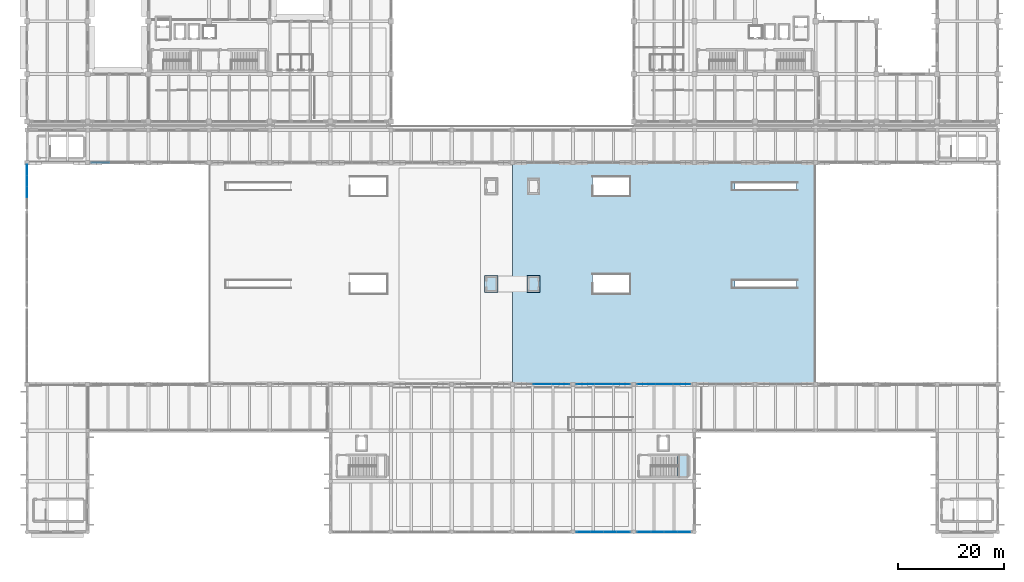
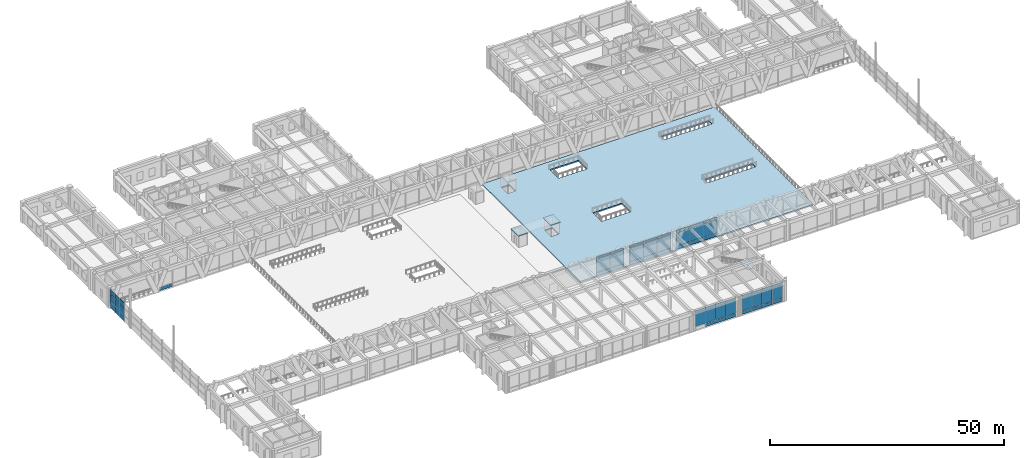
# One storey, part 116 of 148: 57 plates, 4 slabs, 8 elements without a shape of their own.
"""IFC4 building model written with IfcOpenShell, lengths in metres."""

from ifc_helpers import new_model, si_unit, direction, frame, origin, origin_2d, place, context, subcontext, project, spatial, polyline, rectangle, outline, extrude, material, layer, layer_set, type_object, element, aggregate, save


model = new_model("IFC4")

# Units and contexts
model_context = context("Model", 3, precision=1e-05, world=origin(), true_north=direction((0.0, 1.0)))
body_context = subcontext(model_context, "Body", "Model", "MODEL_VIEW")
ifc_project = project(units=[si_unit("LENGTHUNIT", "METRE"), si_unit("AREAUNIT", "SQUARE_METRE"), si_unit("VOLUMEUNIT", "CUBIC_METRE"), si_unit("PLANEANGLEUNIT", "RADIAN"), si_unit("MASSUNIT", "GRAM", prefix="KILO")], contexts=[model_context])

# Site, building, storey
site_placement = place(None, origin())
site = spatial("IfcSite", under=ifc_project, at=site_placement, CompositionType="ELEMENT")
building_placement = place(site_placement, origin())
building = spatial("IfcBuilding", under=site, at=building_placement, Name="Ologun Quay Terminus", CompositionType="ELEMENT")
storey_placement = place(building_placement, frame((0.0, 0.0, 8.39990234375)))
storey = spatial("IfcBuildingStorey", under=building, at=storey_placement, Name="L02", CompositionType="ELEMENT", Elevation=8.39990234375)

# Curtain wall, plates
ifc_material_1 = material(Name="Aluminium 6063-T6", Category="aluminium")
curtain_wall_type_1 = type_object("IfcCurtainWallType", Name="Concourse Departure Curtain Wall 10700x4950", PredefinedType="USERDEFINED", material=ifc_material_1)
curtain_wall_1_placement = place(storey_placement, origin())
curtain_wall_1 = element("IfcCurtainWall", 1, at=curtain_wall_1_placement, inside=storey, type_object=curtain_wall_type_1, Name="CW-05 Curtain Wall CW-L02-028", ObjectType="UNITISED CURTAIN WALL", PredefinedType="USERDEFINED")
ifc_material_2 = material(Name="Glass", Category="glass")
ifc_layer_1 = layer(ifc_material_2, 0.031982421875)
ifc_layer_set_1 = layer_set([ifc_layer_1], Name="Glass")
plate_type_1 = type_object("IfcPlateType", Name="Acoustic Low-E Laminated Glazed Panel 32", PredefinedType="CURTAIN_PANEL", material=ifc_layer_set_1)
plate_1_placement = place(storey_placement, frame((105.496337890625, 8.0, 0.93017578125), z_axis=(0.0, 0.0, 1.0), x_axis=(1.0, 0.0, 0.0)))
plate_1 = element("IfcPlate", 2, at=plate_1_placement, type_object=plate_type_1, Name="CW-L02-028 Panel B1-2", PredefinedType="CURTAIN_PANEL", context=body_context, shape_type="SweptSolid", body=[
    extrude(rectangle(XDim=2.50244140625, YDim=0.031982421875, at=origin_2d()), origin(), (0.0, 0.0, 1.0), 3.47998046875),
])
plate_2_placement = place(storey_placement, frame((105.496337890625, 8.0, 4.47021484375), z_axis=(0.0, 0.0, 1.0), x_axis=(1.0, 0.0, 0.0)))
plate_2 = element("IfcPlate", 3, at=plate_2_placement, type_object=plate_type_1, Name="CW-L02-028 Panel B1-3", PredefinedType="CURTAIN_PANEL", context=body_context, shape_type="SweptSolid", body=[
    extrude(rectangle(XDim=2.50244140625, YDim=0.031982421875, at=origin_2d()), origin(), (0.0, 0.0, 1.0), 0.639892578125),
])
plate_3_placement = place(storey_placement, frame((107.998779296875, 8.0, 0.93017578125), z_axis=(0.0, 0.0, 1.0), x_axis=(1.0, 0.0, 0.0)))
plate_3 = element("IfcPlate", 4, at=plate_3_placement, type_object=plate_type_1, Name="CW-L02-028 Panel B2-2", PredefinedType="CURTAIN_PANEL", context=body_context, shape_type="SweptSolid", body=[
    extrude(rectangle(XDim=2.50244140625, YDim=0.031982421875, at=origin_2d()), origin(), (0.0, 0.0, 1.0), 3.47998046875),
])
plate_4_placement = place(storey_placement, frame((107.998779296875, 8.0, 4.47021484375), z_axis=(0.0, 0.0, 1.0), x_axis=(1.0, 0.0, 0.0)))
plate_4 = element("IfcPlate", 5, at=plate_4_placement, type_object=plate_type_1, Name="CW-L02-028 Panel B2-3", PredefinedType="CURTAIN_PANEL", context=body_context, shape_type="SweptSolid", body=[
    extrude(rectangle(XDim=2.50244140625, YDim=0.031982421875, at=origin_2d()), origin(), (0.0, 0.0, 1.0), 0.639892578125),
])
plate_5_placement = place(storey_placement, frame((110.501220703125, 8.0, 0.93017578125), z_axis=(0.0, 0.0, 1.0), x_axis=(1.0, 0.0, 0.0)))
plate_5 = element("IfcPlate", 6, at=plate_5_placement, type_object=plate_type_1, Name="CW-L02-028 Panel B3-2", PredefinedType="CURTAIN_PANEL", context=body_context, shape_type="SweptSolid", body=[
    extrude(rectangle(XDim=2.50244140625, YDim=0.031982421875, at=origin_2d()), origin(), (0.0, 0.0, 1.0), 3.47998046875),
])
plate_6_placement = place(storey_placement, frame((110.501220703125, 8.0, 4.47021484375), z_axis=(0.0, 0.0, 1.0), x_axis=(1.0, 0.0, 0.0)))
plate_6 = element("IfcPlate", 7, at=plate_6_placement, type_object=plate_type_1, Name="CW-L02-028 Panel B3-3", PredefinedType="CURTAIN_PANEL", context=body_context, shape_type="SweptSolid", body=[
    extrude(rectangle(XDim=2.50244140625, YDim=0.031982421875, at=origin_2d()), origin(), (0.0, 0.0, 1.0), 0.639892578125),
])
plate_7_placement = place(storey_placement, frame((113.003662109375, 8.0, 0.93017578125), z_axis=(0.0, 0.0, 1.0), x_axis=(1.0, 0.0, 0.0)))
plate_7 = element("IfcPlate", 8, at=plate_7_placement, type_object=plate_type_1, Name="CW-L02-028 Panel B4-2", PredefinedType="CURTAIN_PANEL", context=body_context, shape_type="SweptSolid", body=[
    extrude(rectangle(XDim=2.50244140625, YDim=0.031982421875, at=origin_2d()), origin(), (0.0, 0.0, 1.0), 3.47998046875),
])
plate_8_placement = place(storey_placement, frame((113.003662109375, 8.0, 4.47021484375), z_axis=(0.0, 0.0, 1.0), x_axis=(1.0, 0.0, 0.0)))
plate_8 = element("IfcPlate", 9, at=plate_8_placement, type_object=plate_type_1, Name="CW-L02-028 Panel B4-3", PredefinedType="CURTAIN_PANEL", context=body_context, shape_type="SweptSolid", body=[
    extrude(rectangle(XDim=2.50244140625, YDim=0.031982421875, at=origin_2d()), origin(), (0.0, 0.0, 1.0), 0.639892578125),
])

curtain_wall_2_placement = place(storey_placement, origin())
curtain_wall_2 = element("IfcCurtainWall", 10, at=curtain_wall_2_placement, inside=storey, type_object=curtain_wall_type_1, Name="CW-05 Curtain Wall CW-L02-029", ObjectType="UNITISED CURTAIN WALL", PredefinedType="USERDEFINED")
plate_9_placement = place(storey_placement, frame((116.996337890625, 8.0, 0.93017578125), z_axis=(0.0, 0.0, 1.0), x_axis=(1.0, 0.0, 0.0)))
plate_9 = element("IfcPlate", 11, at=plate_9_placement, type_object=plate_type_1, Name="CW-L02-029 Panel B1-2", PredefinedType="CURTAIN_PANEL", context=body_context, shape_type="SweptSolid", body=[
    extrude(rectangle(XDim=2.50244140625, YDim=0.031982421875, at=origin_2d()), origin(), (0.0, 0.0, 1.0), 3.47998046875),
])
plate_10_placement = place(storey_placement, frame((116.996337890625, 8.0, 4.47021484375), z_axis=(0.0, 0.0, 1.0), x_axis=(1.0, 0.0, 0.0)))
plate_10 = element("IfcPlate", 12, at=plate_10_placement, type_object=plate_type_1, Name="CW-L02-029 Panel B1-3", PredefinedType="CURTAIN_PANEL", context=body_context, shape_type="SweptSolid", body=[
    extrude(rectangle(XDim=2.50244140625, YDim=0.031982421875, at=origin_2d()), origin(), (0.0, 0.0, 1.0), 0.639892578125),
])
plate_11_placement = place(storey_placement, frame((119.498779296875, 8.0, 0.93017578125), z_axis=(0.0, 0.0, 1.0), x_axis=(1.0, 0.0, 0.0)))
plate_11 = element("IfcPlate", 13, at=plate_11_placement, type_object=plate_type_1, Name="CW-L02-029 Panel B2-2", PredefinedType="CURTAIN_PANEL", context=body_context, shape_type="SweptSolid", body=[
    extrude(rectangle(XDim=2.50244140625, YDim=0.031982421875, at=origin_2d()), origin(), (0.0, 0.0, 1.0), 3.47998046875),
])
plate_12_placement = place(storey_placement, frame((119.498779296875, 8.0, 4.47021484375), z_axis=(0.0, 0.0, 1.0), x_axis=(1.0, 0.0, 0.0)))
plate_12 = element("IfcPlate", 14, at=plate_12_placement, type_object=plate_type_1, Name="CW-L02-029 Panel B2-3", PredefinedType="CURTAIN_PANEL", context=body_context, shape_type="SweptSolid", body=[
    extrude(rectangle(XDim=2.50244140625, YDim=0.031982421875, at=origin_2d()), origin(), (0.0, 0.0, 1.0), 0.639892578125),
])
plate_13_placement = place(storey_placement, frame((122.001220703125, 8.0, 0.93017578125), z_axis=(0.0, 0.0, 1.0), x_axis=(1.0, 0.0, 0.0)))
plate_13 = element("IfcPlate", 15, at=plate_13_placement, type_object=plate_type_1, Name="CW-L02-029 Panel B3-2", PredefinedType="CURTAIN_PANEL", context=body_context, shape_type="SweptSolid", body=[
    extrude(rectangle(XDim=2.50244140625, YDim=0.031982421875, at=origin_2d()), origin(), (0.0, 0.0, 1.0), 3.47998046875),
])
plate_14_placement = place(storey_placement, frame((122.001220703125, 8.0, 4.47021484375), z_axis=(0.0, 0.0, 1.0), x_axis=(1.0, 0.0, 0.0)))
plate_14 = element("IfcPlate", 16, at=plate_14_placement, type_object=plate_type_1, Name="CW-L02-029 Panel B3-3", PredefinedType="CURTAIN_PANEL", context=body_context, shape_type="SweptSolid", body=[
    extrude(rectangle(XDim=2.50244140625, YDim=0.031982421875, at=origin_2d()), origin(), (0.0, 0.0, 1.0), 0.639892578125),
])
plate_15_placement = place(storey_placement, frame((124.503662109375, 8.0, 0.93017578125), z_axis=(0.0, 0.0, 1.0), x_axis=(1.0, 0.0, 0.0)))
plate_15 = element("IfcPlate", 17, at=plate_15_placement, type_object=plate_type_1, Name="CW-L02-029 Panel B4-2", PredefinedType="CURTAIN_PANEL", context=body_context, shape_type="SweptSolid", body=[
    extrude(rectangle(XDim=2.50244140625, YDim=0.031982421875, at=origin_2d()), origin(), (0.0, 0.0, 1.0), 3.47998046875),
])
plate_16_placement = place(storey_placement, frame((124.503662109375, 8.0, 4.47021484375), z_axis=(0.0, 0.0, 1.0), x_axis=(1.0, 0.0, 0.0)))
plate_16 = element("IfcPlate", 18, at=plate_16_placement, type_object=plate_type_1, Name="CW-L02-029 Panel B4-3", PredefinedType="CURTAIN_PANEL", context=body_context, shape_type="SweptSolid", body=[
    extrude(rectangle(XDim=2.50244140625, YDim=0.031982421875, at=origin_2d()), origin(), (0.0, 0.0, 1.0), 0.639892578125),
])

ifc_material_3 = material(Name="Aluminium 6063-T6", Category="aluminium")
curtain_wall_type_2 = type_object("IfcCurtainWallType", Name="Train Shed Gable Arch Screen 13500x4900", PredefinedType="USERDEFINED", material=ifc_material_3)
curtain_wall_3_placement = place(storey_placement, origin())
curtain_wall_3 = element("IfcCurtainWall", 19, at=curtain_wall_3_placement, inside=storey, type_object=curtain_wall_type_2, Name="CW-10 Curtain Wall CW-GBL-W3", ObjectType="UNITISED CURTAIN WALL", PredefinedType="USERDEFINED")
plate_17_placement = place(storey_placement, frame((0.0, 72.47509765625, 0.170166015625), z_axis=(0.0, 0.0, 1.0), x_axis=(0.0, 1.0, 0.0)))
plate_17 = element("IfcPlate", 20, at=plate_17_placement, type_object=plate_type_1, Name="CW-GBL-W3 Panel B2-1", PredefinedType="CURTAIN_PANEL", context=body_context, shape_type="SweptSolid", body=[
    extrude(rectangle(XDim=2.050048828125, YDim=0.031982421875, at=origin_2d()), origin(), (0.0, 0.0, 1.0), 1.60009765625),
])
plate_18_placement = place(storey_placement, frame((0.0, 72.47509765625, 1.830078125), z_axis=(0.0, 0.0, 1.0), x_axis=(0.0, 1.0, 0.0)))
plate_18 = element("IfcPlate", 21, at=plate_18_placement, type_object=plate_type_1, Name="CW-GBL-W3 Panel B2-2", PredefinedType="CURTAIN_PANEL", context=body_context, shape_type="SweptSolid", body=[
    extrude(rectangle(XDim=2.050048828125, YDim=0.031982421875, at=origin_2d()), origin(), (0.0, 0.0, 1.0), 1.840087890625),
])
plate_19_placement = place(storey_placement, frame((0.0, 72.47509765625, 3.72998046875), z_axis=(0.0, 0.0, 1.0), x_axis=(0.0, 1.0, 0.0)))
plate_19 = element("IfcPlate", 22, at=plate_19_placement, type_object=plate_type_1, Name="CW-GBL-W3 Panel B2-3", PredefinedType="CURTAIN_PANEL", context=body_context, shape_type="SweptSolid", body=[
    extrude(rectangle(XDim=2.050048828125, YDim=0.031982421875, at=origin_2d()), origin(), (0.0, 0.0, 1.0), 1.340087890625),
])
plate_20_placement = place(storey_placement, frame((0.0, 74.52490234375, 0.170166015625), z_axis=(0.0, 0.0, 1.0), x_axis=(0.0, 1.0, 0.0)))
plate_20 = element("IfcPlate", 23, at=plate_20_placement, type_object=plate_type_1, Name="CW-GBL-W3 Panel B3-1", PredefinedType="CURTAIN_PANEL", context=body_context, shape_type="SweptSolid", body=[
    extrude(rectangle(XDim=2.050048828125, YDim=0.031982421875, at=origin_2d()), origin(), (0.0, 0.0, 1.0), 1.60009765625),
])
plate_21_placement = place(storey_placement, frame((0.0, 74.52490234375, 1.830078125), z_axis=(0.0, 0.0, 1.0), x_axis=(0.0, 1.0, 0.0)))
plate_21 = element("IfcPlate", 24, at=plate_21_placement, type_object=plate_type_1, Name="CW-GBL-W3 Panel B3-2", PredefinedType="CURTAIN_PANEL", context=body_context, shape_type="SweptSolid", body=[
    extrude(rectangle(XDim=2.050048828125, YDim=0.031982421875, at=origin_2d()), origin(), (0.0, 0.0, 1.0), 1.840087890625),
])
plate_22_placement = place(storey_placement, frame((0.0, 74.52490234375, 3.72998046875), z_axis=(0.0, 0.0, 1.0), x_axis=(0.0, 1.0, 0.0)))
plate_22 = element("IfcPlate", 25, at=plate_22_placement, type_object=plate_type_1, Name="CW-GBL-W3 Panel B3-3", PredefinedType="CURTAIN_PANEL", context=body_context, shape_type="SweptSolid", body=[
    extrude(rectangle(XDim=2.050048828125, YDim=0.031982421875, at=origin_2d()), origin(), (0.0, 0.0, 1.0), 1.340087890625),
])
plate_23_placement = place(storey_placement, frame((0.0, 76.574951171875, 0.170166015625), z_axis=(0.0, 0.0, 1.0), x_axis=(0.0, 1.0, 0.0)))
plate_23 = element("IfcPlate", 26, at=plate_23_placement, type_object=plate_type_1, Name="CW-GBL-W3 Panel B4-1", PredefinedType="CURTAIN_PANEL", context=body_context, shape_type="SweptSolid", body=[
    extrude(rectangle(XDim=2.050048828125, YDim=0.031982421875, at=origin_2d()), origin(), (0.0, 0.0, 1.0), 1.60009765625),
])
plate_24_placement = place(storey_placement, frame((0.0, 76.574951171875, 1.830078125), z_axis=(0.0, 0.0, 1.0), x_axis=(0.0, 1.0, 0.0)))
plate_24 = element("IfcPlate", 27, at=plate_24_placement, type_object=plate_type_1, Name="CW-GBL-W3 Panel B4-2", PredefinedType="CURTAIN_PANEL", context=body_context, shape_type="SweptSolid", body=[
    extrude(rectangle(XDim=2.050048828125, YDim=0.031982421875, at=origin_2d()), origin(), (0.0, 0.0, 1.0), 1.840087890625),
])
plate_25_placement = place(storey_placement, frame((0.0, 76.574951171875, 3.72998046875), z_axis=(0.0, 0.0, 1.0), x_axis=(0.0, 1.0, 0.0)))
plate_25 = element("IfcPlate", 28, at=plate_25_placement, type_object=plate_type_1, Name="CW-GBL-W3 Panel B4-3", PredefinedType="CURTAIN_PANEL", context=body_context, shape_type="SweptSolid", body=[
    extrude(rectangle(XDim=2.050048828125, YDim=0.031982421875, at=origin_2d()), origin(), (0.0, 0.0, 1.0), 1.340087890625),
])
aggregate(curtain_wall_3, [plate_17, plate_18, plate_19, plate_20, plate_21, plate_22, plate_23, plate_24, plate_25])

# Slab
ifc_material_4 = material(Name="Concrete C40/50", Category="concrete")
ifc_layer_2 = layer(ifc_material_4, 0.35009765625)
ifc_layer_set_2 = layer_set([ifc_layer_2], Name="Concrete C40/50")
slab_type_1 = type_object("IfcSlabType", Name="Elevated Concourse Deck Slab 350", PredefinedType="FLOOR", material=ifc_layer_set_2)
slab_1_placement = place(storey_placement, frame((0.0, 0.0, -0.349853515625)))
element("IfcSlab", 29, at=slab_1_placement, inside=storey, type_object=slab_type_1, Name="SL-CON Over-Track Concourse Bridge 2", PredefinedType="FLOOR", context=body_context, shape_type="SweptSolid", body=[
    extrude(outline(polyline([(92.0, 36.0), (149.5, 36.0), (149.5, 78.0), (92.0, 78.0), (92.0, 36.0)]), holes=[polyline([(95.050048828125, 53.64990234375), (95.050048828125, 56.35009765625), (96.949951171875, 56.35009765625), (96.949951171875, 53.64990234375), (95.050048828125, 53.64990234375)]), polyline([(95.050048828125, 72.14990234375), (95.050048828125, 74.85009765625), (96.949951171875, 74.85009765625), (96.949951171875, 72.14990234375), (95.050048828125, 72.14990234375)]), polyline([(107.22998046875, 53.14990234375), (107.22998046875, 56.85009765625), (114.300048828125, 56.85009765625), (114.300048828125, 53.14990234375), (107.22998046875, 53.14990234375)]), polyline([(107.22998046875, 71.64990234375), (107.22998046875, 75.35009765625), (114.300048828125, 75.35009765625), (114.300048828125, 71.64990234375), (107.22998046875, 71.64990234375)]), polyline([(134.14990234375, 54.300048828125), (134.14990234375, 55.699951171875), (145.85009765625, 55.699951171875), (145.85009765625, 54.300048828125), (134.14990234375, 54.300048828125)]), polyline([(134.14990234375, 72.800048828125), (134.14990234375, 74.199951171875), (145.85009765625, 74.199951171875), (145.85009765625, 72.800048828125), (134.14990234375, 72.800048828125)])]), origin(), (0.0, 0.0, 1.0), 0.349853515625),
])

# Plate
ifc_material_5 = material(Name="Aluminium 6063-T6", Category="aluminium")
ifc_layer_3 = layer(ifc_material_5, 0.050048828125)
ifc_layer_set_3 = layer_set([ifc_layer_3], Name="Aluminium 6063-T6")
plate_type_2 = type_object("IfcPlateType", Name="Insulated Aluminium Shadow-Box Spandrel 50", PredefinedType="CURTAIN_PANEL", material=ifc_layer_set_3)
plate_26_placement = place(storey_placement, frame((107.998779296875, 8.0, 0.0302734375), z_axis=(0.0, 0.0, 1.0), x_axis=(1.0, 0.0, 0.0)))
plate_26 = element("IfcPlate", 30, at=plate_26_placement, type_object=plate_type_2, Name="CW-L02-028 Panel B2-1", PredefinedType="CURTAIN_PANEL", context=body_context, shape_type="SweptSolid", body=[
    extrude(rectangle(XDim=2.50244140625, YDim=0.050048828125, at=origin_2d()), origin(), (0.0, 0.0, 1.0), 0.840087890625),
])

plate_27_placement = place(storey_placement, frame((110.501220703125, 8.0, 0.0302734375), z_axis=(0.0, 0.0, 1.0), x_axis=(1.0, 0.0, 0.0)))
plate_27 = element("IfcPlate", 31, at=plate_27_placement, type_object=plate_type_2, Name="CW-L02-028 Panel B3-1", PredefinedType="CURTAIN_PANEL", context=body_context, shape_type="SweptSolid", body=[
    extrude(rectangle(XDim=2.50244140625, YDim=0.050048828125, at=origin_2d()), origin(), (0.0, 0.0, 1.0), 0.840087890625),
])

plate_28_placement = place(storey_placement, frame((113.003662109375, 8.0, 0.0302734375), z_axis=(0.0, 0.0, 1.0), x_axis=(1.0, 0.0, 0.0)))
plate_28 = element("IfcPlate", 32, at=plate_28_placement, type_object=plate_type_2, Name="CW-L02-028 Panel B4-1", PredefinedType="CURTAIN_PANEL", context=body_context, shape_type="SweptSolid", body=[
    extrude(rectangle(XDim=2.50244140625, YDim=0.050048828125, at=origin_2d()), origin(), (0.0, 0.0, 1.0), 0.840087890625),
])

aggregate(curtain_wall_1, [plate_1, plate_2, plate_26, plate_3, plate_4, plate_27, plate_5, plate_6, plate_28, plate_7, plate_8])

plate_29_placement = place(storey_placement, frame((116.996337890625, 8.0, 0.0302734375), z_axis=(0.0, 0.0, 1.0), x_axis=(1.0, 0.0, 0.0)))
plate_29 = element("IfcPlate", 33, at=plate_29_placement, type_object=plate_type_2, Name="CW-L02-029 Panel B1-1", PredefinedType="CURTAIN_PANEL", context=body_context, shape_type="SweptSolid", body=[
    extrude(rectangle(XDim=2.50244140625, YDim=0.050048828125, at=origin_2d()), origin(), (0.0, 0.0, 1.0), 0.840087890625),
])

plate_30_placement = place(storey_placement, frame((119.498779296875, 8.0, 0.0302734375), z_axis=(0.0, 0.0, 1.0), x_axis=(1.0, 0.0, 0.0)))
plate_30 = element("IfcPlate", 34, at=plate_30_placement, type_object=plate_type_2, Name="CW-L02-029 Panel B2-1", PredefinedType="CURTAIN_PANEL", context=body_context, shape_type="SweptSolid", body=[
    extrude(rectangle(XDim=2.50244140625, YDim=0.050048828125, at=origin_2d()), origin(), (0.0, 0.0, 1.0), 0.840087890625),
])

plate_31_placement = place(storey_placement, frame((122.001220703125, 8.0, 0.0302734375), z_axis=(0.0, 0.0, 1.0), x_axis=(1.0, 0.0, 0.0)))
plate_31 = element("IfcPlate", 35, at=plate_31_placement, type_object=plate_type_2, Name="CW-L02-029 Panel B3-1", PredefinedType="CURTAIN_PANEL", context=body_context, shape_type="SweptSolid", body=[
    extrude(rectangle(XDim=2.50244140625, YDim=0.050048828125, at=origin_2d()), origin(), (0.0, 0.0, 1.0), 0.840087890625),
])

plate_32_placement = place(storey_placement, frame((124.503662109375, 8.0, 0.0302734375), z_axis=(0.0, 0.0, 1.0), x_axis=(1.0, 0.0, 0.0)))
plate_32 = element("IfcPlate", 36, at=plate_32_placement, type_object=plate_type_2, Name="CW-L02-029 Panel B4-1", PredefinedType="CURTAIN_PANEL", context=body_context, shape_type="SweptSolid", body=[
    extrude(rectangle(XDim=2.50244140625, YDim=0.050048828125, at=origin_2d()), origin(), (0.0, 0.0, 1.0), 0.840087890625),
])

aggregate(curtain_wall_2, [plate_29, plate_9, plate_10, plate_30, plate_11, plate_12, plate_31, plate_13, plate_14, plate_32, plate_15, plate_16])

# Curtain wall, plate
ifc_material_6 = material(Name="Aluminium 6063-T6", Category="aluminium")
curtain_wall_type_3 = type_object("IfcCurtainWallType", Name="Train Shed North Clerestory Curtain Wall 10700x4850", PredefinedType="USERDEFINED", material=ifc_material_6)
curtain_wall_4_placement = place(storey_placement, origin())
curtain_wall_4 = element("IfcCurtainWall", 37, at=curtain_wall_4_placement, inside=storey, type_object=curtain_wall_type_3, Name="CW-09 Curtain Wall CW-L02-047", ObjectType="UNITISED CURTAIN WALL", PredefinedType="USERDEFINED")
plate_33_placement = place(storey_placement, frame((13.913330078125, 78.0, 0.0302734375), z_axis=(0.0, 0.0, 1.0), x_axis=(1.0, 0.0, 0.0)))
plate_33 = element("IfcPlate", 38, at=plate_33_placement, type_object=plate_type_2, Name="CW-L02-047 Panel B1-1", PredefinedType="CURTAIN_PANEL", context=body_context, shape_type="SweptSolid", body=[
    extrude(rectangle(XDim=3.336669921875, YDim=0.050048828125, at=origin_2d()), origin(), (0.0, 0.0, 1.0), 0.840087890625),
])
aggregate(curtain_wall_4, [plate_33])

# Curtain wall, plates
ifc_material_7 = material(Name="Aluminium 6063-T6", Category="aluminium")
curtain_wall_type_4 = type_object("IfcCurtainWallType", Name="Train Shed South Clerestory Curtain Wall 10700x5050", PredefinedType="USERDEFINED", material=ifc_material_7)
curtain_wall_5_placement = place(storey_placement, origin())
curtain_wall_5 = element("IfcCurtainWall", 39, at=curtain_wall_5_placement, inside=storey, type_object=curtain_wall_type_4, Name="CW-08 Curtain Wall CW-L02-060", ObjectType="UNITISED CURTAIN WALL", PredefinedType="USERDEFINED")
plate_34_placement = place(storey_placement, frame((97.75, 36.0, 0.0302734375), z_axis=(0.0, 0.0, 1.0), x_axis=(1.0, 0.0, 0.0)))
plate_34 = element("IfcPlate", 40, at=plate_34_placement, type_object=plate_type_2, Name="CW-L02-060 Panel B2-1", PredefinedType="CURTAIN_PANEL", context=body_context, shape_type="SweptSolid", body=[
    extrude(rectangle(XDim=3.336669921875, YDim=0.050048828125, at=origin_2d()), origin(), (0.0, 0.0, 1.0), 0.840087890625),
])
plate_35_placement = place(storey_placement, frame((101.086669921875, 36.0, 0.0302734375), z_axis=(0.0, 0.0, 1.0), x_axis=(1.0, 0.0, 0.0)))
plate_35 = element("IfcPlate", 41, at=plate_35_placement, type_object=plate_type_2, Name="CW-L02-060 Panel B3-1", PredefinedType="CURTAIN_PANEL", context=body_context, shape_type="SweptSolid", body=[
    extrude(rectangle(XDim=3.336669921875, YDim=0.050048828125, at=origin_2d()), origin(), (0.0, 0.0, 1.0), 0.840087890625),
])

curtain_wall_6_placement = place(storey_placement, origin())
curtain_wall_6 = element("IfcCurtainWall", 42, at=curtain_wall_6_placement, inside=storey, type_object=curtain_wall_type_4, Name="CW-08 Curtain Wall CW-L02-062", ObjectType="UNITISED CURTAIN WALL", PredefinedType="USERDEFINED")
plate_36_placement = place(storey_placement, frame((105.913330078125, 36.0, 0.0302734375), z_axis=(0.0, 0.0, 1.0), x_axis=(1.0, 0.0, 0.0)))
plate_36 = element("IfcPlate", 43, at=plate_36_placement, type_object=plate_type_2, Name="CW-L02-062 Panel B1-1", PredefinedType="CURTAIN_PANEL", context=body_context, shape_type="SweptSolid", body=[
    extrude(rectangle(XDim=3.336669921875, YDim=0.050048828125, at=origin_2d()), origin(), (0.0, 0.0, 1.0), 0.840087890625),
])
plate_37_placement = place(storey_placement, frame((109.25, 36.0, 0.0302734375), z_axis=(0.0, 0.0, 1.0), x_axis=(1.0, 0.0, 0.0)))
plate_37 = element("IfcPlate", 44, at=plate_37_placement, type_object=plate_type_2, Name="CW-L02-062 Panel B2-1", PredefinedType="CURTAIN_PANEL", context=body_context, shape_type="SweptSolid", body=[
    extrude(rectangle(XDim=3.336669921875, YDim=0.050048828125, at=origin_2d()), origin(), (0.0, 0.0, 1.0), 0.840087890625),
])
plate_38_placement = place(storey_placement, frame((112.586669921875, 36.0, 0.0302734375), z_axis=(0.0, 0.0, 1.0), x_axis=(1.0, 0.0, 0.0)))
plate_38 = element("IfcPlate", 45, at=plate_38_placement, type_object=plate_type_2, Name="CW-L02-062 Panel B3-1", PredefinedType="CURTAIN_PANEL", context=body_context, shape_type="SweptSolid", body=[
    extrude(rectangle(XDim=3.336669921875, YDim=0.050048828125, at=origin_2d()), origin(), (0.0, 0.0, 1.0), 0.840087890625),
])

curtain_wall_7_placement = place(storey_placement, origin())
curtain_wall_7 = element("IfcCurtainWall", 46, at=curtain_wall_7_placement, inside=storey, type_object=curtain_wall_type_4, Name="CW-08 Curtain Wall CW-L02-064", ObjectType="UNITISED CURTAIN WALL", PredefinedType="USERDEFINED")
plate_39_placement = place(storey_placement, frame((117.413330078125, 36.0, 0.0302734375), z_axis=(0.0, 0.0, 1.0), x_axis=(1.0, 0.0, 0.0)))
plate_39 = element("IfcPlate", 47, at=plate_39_placement, type_object=plate_type_2, Name="CW-L02-064 Panel B1-1", PredefinedType="CURTAIN_PANEL", context=body_context, shape_type="SweptSolid", body=[
    extrude(rectangle(XDim=3.336669921875, YDim=0.050048828125, at=origin_2d()), origin(), (0.0, 0.0, 1.0), 0.840087890625),
])
plate_40_placement = place(storey_placement, frame((120.75, 36.0, 0.0302734375), z_axis=(0.0, 0.0, 1.0), x_axis=(1.0, 0.0, 0.0)))
plate_40 = element("IfcPlate", 48, at=plate_40_placement, type_object=plate_type_2, Name="CW-L02-064 Panel B2-1", PredefinedType="CURTAIN_PANEL", context=body_context, shape_type="SweptSolid", body=[
    extrude(rectangle(XDim=3.336669921875, YDim=0.050048828125, at=origin_2d()), origin(), (0.0, 0.0, 1.0), 0.840087890625),
])
plate_41_placement = place(storey_placement, frame((124.086669921875, 36.0, 0.0302734375), z_axis=(0.0, 0.0, 1.0), x_axis=(1.0, 0.0, 0.0)))
plate_41 = element("IfcPlate", 49, at=plate_41_placement, type_object=plate_type_2, Name="CW-L02-064 Panel B3-1", PredefinedType="CURTAIN_PANEL", context=body_context, shape_type="SweptSolid", body=[
    extrude(rectangle(XDim=3.336669921875, YDim=0.050048828125, at=origin_2d()), origin(), (0.0, 0.0, 1.0), 0.840087890625),
])

# Slabs
ifc_material_8 = material(Name="Concrete C40/50", Category="concrete")
ifc_layer_4 = layer(ifc_material_8, 0.199951171875)
ifc_layer_set_4 = layer_set([ifc_layer_4], Name="Concrete C40/50")
slab_type_2 = type_object("IfcSlabType", Name="Pitched Overhanging Concrete Roof Slab 200", PredefinedType="ROOF", material=ifc_layer_set_4)
slab_2_placement = place(storey_placement, frame((0.0, 0.0, 3.0)))
element("IfcSlab", 50, at=slab_2_placement, inside=storey, type_object=slab_type_2, Name="SL-RF Platform Lift Overrun Cap 1", PredefinedType="ROOF", context=body_context, shape_type="SweptSolid", body=[
    extrude(outline(polyline([(89.25, 53.35009765625), (89.25, 56.64990234375), (86.75, 56.64990234375), (86.75, 53.35009765625), (89.25, 53.35009765625)])), origin(), (0.0, 0.0, 1.0), 0.2001953125),
])
slab_3_placement = place(storey_placement, frame((0.0, 0.0, 3.0)))
element("IfcSlab", 51, at=slab_3_placement, inside=storey, type_object=slab_type_2, Name="SL-RF Platform Lift Overrun Cap 2", PredefinedType="ROOF", context=body_context, shape_type="SweptSolid", body=[
    extrude(outline(polyline([(97.25, 53.35009765625), (97.25, 56.64990234375), (94.75, 56.64990234375), (94.75, 53.35009765625), (97.25, 53.35009765625)])), origin(), (0.0, 0.0, 1.0), 0.2001953125),
])

# Stair, slab
ifc_material_9 = material(Name="Concrete C40/50", Category="concrete")
stair_type = type_object("IfcStairType", Name="Station Concourse Escape Stair 1800", PredefinedType="HALF_TURN_STAIR", material=ifc_material_9)
stair_placement = place(storey_placement, origin())
stair = element("IfcStair", 52, at=stair_placement, inside=storey, type_object=stair_type, Name="ST-S4 Stair L02", PredefinedType="HALF_TURN_STAIR")
ifc_material_10 = material(Name="Precast Concrete C40/50", Category="concrete")
ifc_layer_5 = layer(ifc_material_10, 0.179931640625)
ifc_layer_set_5 = layer_set([ifc_layer_5], Name="Precast Concrete C40/50")
slab_type_3 = type_object("IfcSlabType", Name="Precast Stair Half-Landing Slab 180", PredefinedType="LANDING", material=ifc_layer_set_5)
slab_4_placement = place(storey_placement, frame((0.0, 0.0, 2.52001953125)))
slab_4 = element("IfcSlab", 53, at=slab_4_placement, type_object=slab_type_3, Name="ST-S4 Half-Landing L02", PredefinedType="LANDING", context=body_context, shape_type="SweptSolid", body=[
    extrude(outline(polyline([(123.320068359375, 18.52001953125), (125.3798828125, 18.52001953125), (125.3798828125, 22.47998046875), (123.320068359375, 22.47998046875), (123.320068359375, 18.52001953125)])), origin(), (0.0, 0.0, 1.0), 0.18017578125),
])
aggregate(stair, [slab_4])

# Plate
ifc_material_11 = material(Name="Glass", Category="glass")
ifc_layer_6 = layer(ifc_material_11, 0.028076171875)
ifc_layer_set_6 = layer_set([ifc_layer_6], Name="Glass")
plate_type_3 = type_object("IfcPlateType", Name="Solar-Control Double Glazed Panel 28", PredefinedType="CURTAIN_PANEL", material=ifc_layer_set_6)
plate_42_placement = place(storey_placement, frame((97.75, 36.0, 0.93017578125), z_axis=(0.0, 0.0, 1.0), x_axis=(1.0, 0.0, 0.0)))
plate_42 = element("IfcPlate", 54, at=plate_42_placement, type_object=plate_type_3, Name="CW-L02-060 Panel B2-2", PredefinedType="CURTAIN_PANEL", context=body_context, shape_type="SweptSolid", body=[
    extrude(rectangle(XDim=3.336669921875, YDim=0.028076171875, at=origin_2d()), origin(), (0.0, 0.0, 1.0), 3.43994140625),
])

plate_43_placement = place(storey_placement, frame((97.75, 36.0, 4.43017578125), z_axis=(0.0, 0.0, 1.0), x_axis=(1.0, 0.0, 0.0)))
plate_43 = element("IfcPlate", 55, at=plate_43_placement, type_object=plate_type_3, Name="CW-L02-060 Panel B2-3", PredefinedType="CURTAIN_PANEL", context=body_context, shape_type="SweptSolid", body=[
    extrude(rectangle(XDim=3.336669921875, YDim=0.028076171875, at=origin_2d()), origin(), (0.0, 0.0, 1.0), 0.639892578125),
])

plate_44_placement = place(storey_placement, frame((101.086669921875, 36.0, 0.93017578125), z_axis=(0.0, 0.0, 1.0), x_axis=(1.0, 0.0, 0.0)))
plate_44 = element("IfcPlate", 56, at=plate_44_placement, type_object=plate_type_3, Name="CW-L02-060 Panel B3-2", PredefinedType="CURTAIN_PANEL", context=body_context, shape_type="SweptSolid", body=[
    extrude(rectangle(XDim=3.336669921875, YDim=0.028076171875, at=origin_2d()), origin(), (0.0, 0.0, 1.0), 3.43994140625),
])

plate_45_placement = place(storey_placement, frame((101.086669921875, 36.0, 4.43017578125), z_axis=(0.0, 0.0, 1.0), x_axis=(1.0, 0.0, 0.0)))
plate_45 = element("IfcPlate", 57, at=plate_45_placement, type_object=plate_type_3, Name="CW-L02-060 Panel B3-3", PredefinedType="CURTAIN_PANEL", context=body_context, shape_type="SweptSolid", body=[
    extrude(rectangle(XDim=3.336669921875, YDim=0.028076171875, at=origin_2d()), origin(), (0.0, 0.0, 1.0), 0.639892578125),
])

aggregate(curtain_wall_5, [plate_34, plate_42, plate_43, plate_35, plate_44, plate_45])

plate_46_placement = place(storey_placement, frame((105.913330078125, 36.0, 0.93017578125), z_axis=(0.0, 0.0, 1.0), x_axis=(1.0, 0.0, 0.0)))
plate_46 = element("IfcPlate", 58, at=plate_46_placement, type_object=plate_type_3, Name="CW-L02-062 Panel B1-2", PredefinedType="CURTAIN_PANEL", context=body_context, shape_type="SweptSolid", body=[
    extrude(rectangle(XDim=3.336669921875, YDim=0.028076171875, at=origin_2d()), origin(), (0.0, 0.0, 1.0), 3.43994140625),
])

plate_47_placement = place(storey_placement, frame((105.913330078125, 36.0, 4.43017578125), z_axis=(0.0, 0.0, 1.0), x_axis=(1.0, 0.0, 0.0)))
plate_47 = element("IfcPlate", 59, at=plate_47_placement, type_object=plate_type_3, Name="CW-L02-062 Panel B1-3", PredefinedType="CURTAIN_PANEL", context=body_context, shape_type="SweptSolid", body=[
    extrude(rectangle(XDim=3.336669921875, YDim=0.028076171875, at=origin_2d()), origin(), (0.0, 0.0, 1.0), 0.639892578125),
])

plate_48_placement = place(storey_placement, frame((109.25, 36.0, 0.93017578125), z_axis=(0.0, 0.0, 1.0), x_axis=(1.0, 0.0, 0.0)))
plate_48 = element("IfcPlate", 60, at=plate_48_placement, type_object=plate_type_3, Name="CW-L02-062 Panel B2-2", PredefinedType="CURTAIN_PANEL", context=body_context, shape_type="SweptSolid", body=[
    extrude(rectangle(XDim=3.336669921875, YDim=0.028076171875, at=origin_2d()), origin(), (0.0, 0.0, 1.0), 3.43994140625),
])

plate_49_placement = place(storey_placement, frame((109.25, 36.0, 4.43017578125), z_axis=(0.0, 0.0, 1.0), x_axis=(1.0, 0.0, 0.0)))
plate_49 = element("IfcPlate", 61, at=plate_49_placement, type_object=plate_type_3, Name="CW-L02-062 Panel B2-3", PredefinedType="CURTAIN_PANEL", context=body_context, shape_type="SweptSolid", body=[
    extrude(rectangle(XDim=3.336669921875, YDim=0.028076171875, at=origin_2d()), origin(), (0.0, 0.0, 1.0), 0.639892578125),
])

plate_50_placement = place(storey_placement, frame((112.586669921875, 36.0, 0.93017578125), z_axis=(0.0, 0.0, 1.0), x_axis=(1.0, 0.0, 0.0)))
plate_50 = element("IfcPlate", 62, at=plate_50_placement, type_object=plate_type_3, Name="CW-L02-062 Panel B3-2", PredefinedType="CURTAIN_PANEL", context=body_context, shape_type="SweptSolid", body=[
    extrude(rectangle(XDim=3.336669921875, YDim=0.028076171875, at=origin_2d()), origin(), (0.0, 0.0, 1.0), 3.43994140625),
])

plate_51_placement = place(storey_placement, frame((112.586669921875, 36.0, 4.43017578125), z_axis=(0.0, 0.0, 1.0), x_axis=(1.0, 0.0, 0.0)))
plate_51 = element("IfcPlate", 63, at=plate_51_placement, type_object=plate_type_3, Name="CW-L02-062 Panel B3-3", PredefinedType="CURTAIN_PANEL", context=body_context, shape_type="SweptSolid", body=[
    extrude(rectangle(XDim=3.336669921875, YDim=0.028076171875, at=origin_2d()), origin(), (0.0, 0.0, 1.0), 0.639892578125),
])

aggregate(curtain_wall_6, [plate_36, plate_46, plate_47, plate_37, plate_48, plate_49, plate_38, plate_50, plate_51])

plate_52_placement = place(storey_placement, frame((117.413330078125, 36.0, 0.93017578125), z_axis=(0.0, 0.0, 1.0), x_axis=(1.0, 0.0, 0.0)))
plate_52 = element("IfcPlate", 64, at=plate_52_placement, type_object=plate_type_3, Name="CW-L02-064 Panel B1-2", PredefinedType="CURTAIN_PANEL", context=body_context, shape_type="SweptSolid", body=[
    extrude(rectangle(XDim=3.336669921875, YDim=0.028076171875, at=origin_2d()), origin(), (0.0, 0.0, 1.0), 3.43994140625),
])

plate_53_placement = place(storey_placement, frame((117.413330078125, 36.0, 4.43017578125), z_axis=(0.0, 0.0, 1.0), x_axis=(1.0, 0.0, 0.0)))
plate_53 = element("IfcPlate", 65, at=plate_53_placement, type_object=plate_type_3, Name="CW-L02-064 Panel B1-3", PredefinedType="CURTAIN_PANEL", context=body_context, shape_type="SweptSolid", body=[
    extrude(rectangle(XDim=3.336669921875, YDim=0.028076171875, at=origin_2d()), origin(), (0.0, 0.0, 1.0), 0.639892578125),
])

plate_54_placement = place(storey_placement, frame((120.75, 36.0, 0.93017578125), z_axis=(0.0, 0.0, 1.0), x_axis=(1.0, 0.0, 0.0)))
plate_54 = element("IfcPlate", 66, at=plate_54_placement, type_object=plate_type_3, Name="CW-L02-064 Panel B2-2", PredefinedType="CURTAIN_PANEL", context=body_context, shape_type="SweptSolid", body=[
    extrude(rectangle(XDim=3.336669921875, YDim=0.028076171875, at=origin_2d()), origin(), (0.0, 0.0, 1.0), 3.43994140625),
])

plate_55_placement = place(storey_placement, frame((120.75, 36.0, 4.43017578125), z_axis=(0.0, 0.0, 1.0), x_axis=(1.0, 0.0, 0.0)))
plate_55 = element("IfcPlate", 67, at=plate_55_placement, type_object=plate_type_3, Name="CW-L02-064 Panel B2-3", PredefinedType="CURTAIN_PANEL", context=body_context, shape_type="SweptSolid", body=[
    extrude(rectangle(XDim=3.336669921875, YDim=0.028076171875, at=origin_2d()), origin(), (0.0, 0.0, 1.0), 0.639892578125),
])

plate_56_placement = place(storey_placement, frame((124.086669921875, 36.0, 0.93017578125), z_axis=(0.0, 0.0, 1.0), x_axis=(1.0, 0.0, 0.0)))
plate_56 = element("IfcPlate", 68, at=plate_56_placement, type_object=plate_type_3, Name="CW-L02-064 Panel B3-2", PredefinedType="CURTAIN_PANEL", context=body_context, shape_type="SweptSolid", body=[
    extrude(rectangle(XDim=3.336669921875, YDim=0.028076171875, at=origin_2d()), origin(), (0.0, 0.0, 1.0), 3.43994140625),
])

plate_57_placement = place(storey_placement, frame((124.086669921875, 36.0, 4.43017578125), z_axis=(0.0, 0.0, 1.0), x_axis=(1.0, 0.0, 0.0)))
plate_57 = element("IfcPlate", 69, at=plate_57_placement, type_object=plate_type_3, Name="CW-L02-064 Panel B3-3", PredefinedType="CURTAIN_PANEL", context=body_context, shape_type="SweptSolid", body=[
    extrude(rectangle(XDim=3.336669921875, YDim=0.028076171875, at=origin_2d()), origin(), (0.0, 0.0, 1.0), 0.639892578125),
])

aggregate(curtain_wall_7, [plate_39, plate_52, plate_53, plate_40, plate_54, plate_55, plate_41, plate_56, plate_57])

save(model, "model.ifc")
